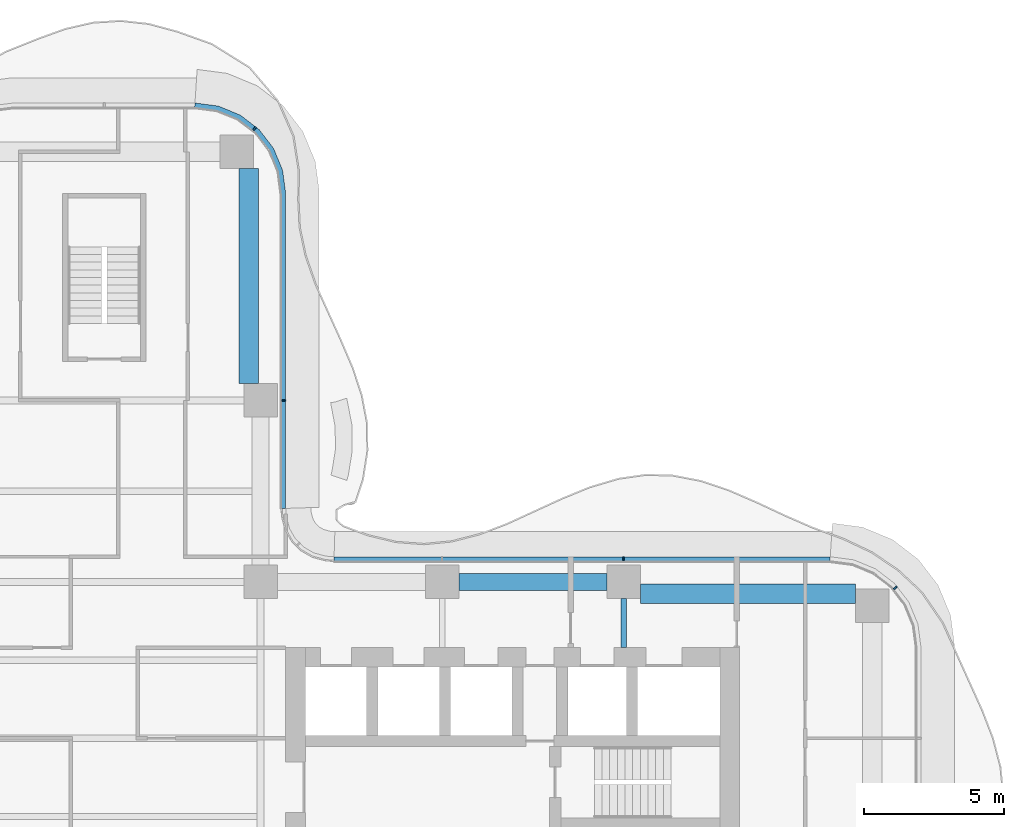
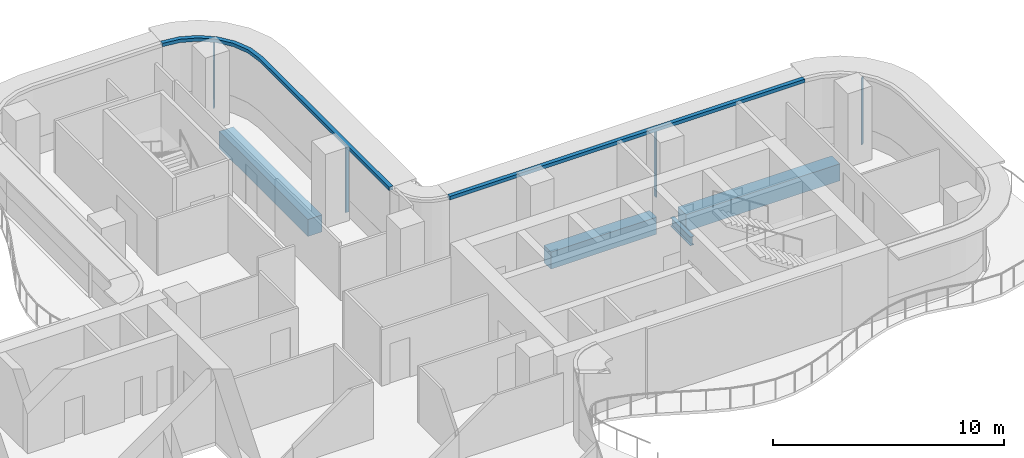
# One storey, part 9 of 18: 6 members, 4 beams, 3 elements without a shape of their own.
"""IFC4 building model written with IfcOpenShell, lengths in metres."""

from ifc_helpers import new_model, si_unit, direction, frame, origin, origin_2d, place, context, subcontext, project, spatial, polyline, rectangle, i_section, outline, extrude, source, transform, mapped, material, layer, layer_set, material_profile, profile_set, type_object, element, aggregate, save


model = new_model("IFC4")

# Units and contexts
model_context = context("Model", 3, precision=1e-05, world=origin(), true_north=direction((0.0, 1.0)))
body_context = subcontext(model_context, "Body", "Model", "MODEL_VIEW")
ifc_project = project(units=[si_unit("LENGTHUNIT", "METRE"), si_unit("AREAUNIT", "SQUARE_METRE"), si_unit("VOLUMEUNIT", "CUBIC_METRE"), si_unit("PLANEANGLEUNIT", "RADIAN"), si_unit("MASSUNIT", "GRAM", prefix="KILO")], contexts=[model_context])

# Site, building, storey
site_placement = place(None, origin())
site = spatial("IfcSite", under=ifc_project, at=site_placement, CompositionType="ELEMENT")
building_placement = place(site_placement, origin())
building = spatial("IfcBuilding", under=site, at=building_placement, Name="Trellis Farm Tower", CompositionType="ELEMENT")
storey_placement = place(building_placement, frame((0.0, 0.0, 189.300048828125)))
storey = spatial("IfcBuildingStorey", under=building, at=storey_placement, Name="L41", CompositionType="ELEMENT", Elevation=189.300048828125)

# Beams
ifc_material_1 = material(Name="Concrete C60/75", Category="concrete")
ifc_material_profile_1 = material_profile(ifc_material_1, rectangle(XDim=0.60009765625, YDim=0.89990234375, at=origin_2d()), Name="RC spandrel beam 600x900 C60/75")
ifc_profile_set_1 = profile_set([ifc_material_profile_1], Name="Concrete C60/75")
beam_type_1 = type_object("IfcBeamType", Name="RC spandrel beam 600x900 C60/75", PredefinedType="SPANDREL", material=ifc_profile_set_1)
shared_shape_1 = source(origin(), body_context, "Body", "SweptSolid", [
    extrude(rectangle(XDim=0.60009765625, YDim=0.89990234375, at=origin_2d()), origin(), (0.0, 0.0, 1.0), 5.300048828125),
])
beam_1_placement = place(storey_placement, frame((12.699951171875, 5.60009765625, -0.650146484375), z_axis=(1.0, 0.0, 0.0), x_axis=(0.0, 1.0, 0.0)))
element("IfcBeam", 1, at=beam_1_placement, inside=storey, type_object=beam_type_1, Name="Girder", PredefinedType="SPANDREL", context=body_context, shape_type="MappedRepresentation", body=[
    mapped(shared_shape_1, transform((0.0, 0.0, 0.0))),
])
ifc_material_2 = material(Name="Steel S355", Category="steel")
ifc_material_profile_2 = material_profile(ifc_material_2, i_section(OverallWidth=0.1904296875, OverallDepth=0.45703125, WebThickness=0.009033203125, FlangeThickness=0.014404296875, FilletRadius=0.01025390625, at=origin_2d()), Name="UB 457x191x74")
ifc_profile_set_2 = profile_set([ifc_material_profile_2], Name="Steel S355")
beam_type_2 = type_object("IfcBeamType", Name="UB 457x191x74", PredefinedType="BEAM", material=ifc_profile_set_2)
shared_shape_2 = source(origin(), body_context, "Body", "SweptSolid", [
    extrude(i_section(OverallWidth=0.1904296875, OverallDepth=0.45703125, WebThickness=0.009033203125, FlangeThickness=0.014404296875, FilletRadius=0.01025390625, at=origin_2d()), origin(), (0.0, 0.0, 1.0), 1.75),
])
beam_2_placement = place(storey_placement, frame((18.60009765625, 3.25, -0.428466796875), z_axis=(0.0, 1.0, 0.0), x_axis=(-1.0, 0.0, 0.0)))
element("IfcBeam", 2, at=beam_2_placement, inside=storey, type_object=beam_type_2, Name="Girder", PredefinedType="BEAM", context=body_context, shape_type="MappedRepresentation", body=[
    mapped(shared_shape_2, transform((0.0, 0.0, 0.0))),
])
ifc_material_profile_3 = material_profile(ifc_material_1, rectangle(XDim=0.699951171875, YDim=0.89990234375, at=origin_2d()), Name="RC spandrel beam 700x900 C60/75")
ifc_profile_set_3 = profile_set([ifc_material_profile_3], Name="Concrete C60/75")
beam_type_3 = type_object("IfcBeamType", Name="RC spandrel beam 700x900 C60/75", PredefinedType="SPANDREL", material=ifc_profile_set_3)
shared_shape_3 = source(origin(), body_context, "Body", "SweptSolid", [
    extrude(rectangle(XDim=0.699951171875, YDim=0.89990234375, at=origin_2d()), origin(), (0.0, 0.0, 1.0), 7.699951171875),
])
for number, where, z_axis, x_axis, name in (
    (3, (19.199951171875, 5.175048828125, -0.650146484375), (1.0, 0.0, 0.0), (0.0, 1.0, 0.0), "Girder"),
    (4, (5.175048828125, 12.699951171875, -0.650146484375), (0.0, 1.0, 0.0), (-1.0, 0.0, 0.0), "Girder"),
):
    element("IfcBeam", number, at=place(storey_placement, frame(where, z_axis=z_axis, x_axis=x_axis)), inside=storey, type_object=beam_type_3, Name=name, PredefinedType="SPANDREL", context=body_context, shape_type="MappedRepresentation", body=[
        mapped(shared_shape_3, transform((0.0, 0.0, 0.0))),
    ])

# Curtain wall, member
ifc_material_3 = material(Name="Aluminium and glass curtain wall", Category="aluminium")
ifc_layer_1 = layer(ifc_material_3, 0.18994140625)
ifc_layer_set_1 = layer_set([ifc_layer_1], Name="RIBBON CURTAIN WALL CW1")
curtain_wall_type = type_object("IfcCurtainWallType", Name="RIBBON CURTAIN WALL CW1", PredefinedType="NOTDEFINED", material=ifc_layer_set_1)
placement_1 = place(storey_placement, origin())
curtain_wall_1 = element("IfcCurtainWall", 5, at=placement_1, inside=storey, type_object=curtain_wall_type, Name="CW1 008", PredefinedType="NOTDEFINED")
ifc_material_4 = material(Name="Aluminium extrusion 6063-T6", Category="aluminium")
ifc_layer_2 = layer(ifc_material_4, 0.199951171875)
ifc_layer_set_2 = layer_set([ifc_layer_2], Name="Aluminium extrusion 6063-T6")
member_type_1 = type_object("IfcMemberType", Name="CW1 TRANSOM 200x180", PredefinedType="USERDEFINED", material=ifc_layer_set_2)
shared_shape_4 = source(origin(), body_context, "Body", "SweptSolid", [
    extrude(outline(polyline([(26.0, 6.5), (8.2314453125, 6.5), (8.224853515625, 6.300048828125), (25.98681640625, 6.300048828125), (26.0, 6.5)])), origin(), (0.0, 0.0, 1.0), 0.179931640625),
])
placement_2 = place(storey_placement, frame((0.0, 0.0, 3.52001953125)))
member_1 = element("IfcMember", 6, at=placement_2, type_object=member_type_1, Name="TR1 008", ObjectType="TRANSOM", PredefinedType="USERDEFINED", context=body_context, shape_type="MappedRepresentation", body=[
    mapped(shared_shape_4, transform((0.0, 0.0, 0.0))),
])

curtain_wall_2 = element("IfcCurtainWall", 7, at=placement_1, inside=storey, type_object=curtain_wall_type, Name="CW1 007", PredefinedType="NOTDEFINED")
ifc_material_profile_4 = material_profile(ifc_material_4, rectangle(XDim=0.06005859375, YDim=0.14990234375, at=origin_2d()), Name="MULLION 60x150")
ifc_profile_set_4 = profile_set([ifc_material_profile_4], Name="Aluminium extrusion 6063-T6")
member_type_2 = type_object("IfcMemberType", Name="CW1 MULLION 60x150", PredefinedType="MULLION", material=ifc_profile_set_4)
shared_shape_5 = source(origin(), body_context, "Body", "SweptSolid", [
    extrude(rectangle(XDim=0.06005859375, YDim=0.14990234375, at=origin_2d()), origin(), (0.0, 0.0, 1.0), 3.52001953125),
])
member_2_placement = place(storey_placement, frame((28.328369140625, 5.385498046875, 0.0), z_axis=(0.0, 0.0, 1.0), x_axis=(-0.608761429009, 0.793353340291, 0.0)))
member_2 = element("IfcMember", 8, at=member_2_placement, type_object=member_type_2, Name="MU1 007-02", PredefinedType="MULLION", context=body_context, shape_type="MappedRepresentation", body=[
    mapped(shared_shape_5, transform((0.0, 0.0, 0.0))),
])
aggregate(curtain_wall_2, [member_2])

# Member
member_3_placement = place(storey_placement, frame((18.60009765625, 6.425048828125, 0.0), z_axis=(0.0, 0.0, 1.0), x_axis=(-1.0, 0.0, 0.0)))
member_3 = element("IfcMember", 9, at=member_3_placement, type_object=member_type_2, Name="MU1 008-01", PredefinedType="MULLION", context=body_context, shape_type="MappedRepresentation", body=[
    mapped(shared_shape_5, transform((0.0, 0.0, 0.0))),
])

aggregate(curtain_wall_1, [member_3, member_1])

# Curtain wall, members
curtain_wall_3 = element("IfcCurtainWall", 10, at=placement_1, inside=storey, type_object=curtain_wall_type, Name="CW1 009", PredefinedType="NOTDEFINED")
member_4_placement = place(storey_placement, frame((6.425048828125, 12.10009765625, 0.0), z_axis=(0.0, 0.0, 1.0), x_axis=(0.0, 1.0, 0.0)))
member_4 = element("IfcMember", 11, at=member_4_placement, type_object=member_type_2, Name="MU1 009-01", PredefinedType="MULLION", context=body_context, shape_type="MappedRepresentation", body=[
    mapped(shared_shape_5, transform((0.0, 0.0, 0.0))),
])
member_5_placement = place(storey_placement, frame((5.385498046875, 21.828369140625, 0.0), z_axis=(0.0, 0.0, 1.0), x_axis=(-0.793353340291, 0.608761429009, 0.0)))
member_5 = element("IfcMember", 12, at=member_5_placement, type_object=member_type_2, Name="MU1 009-02", PredefinedType="MULLION", context=body_context, shape_type="MappedRepresentation", body=[
    mapped(shared_shape_5, transform((0.0, 0.0, 0.0))),
])
shared_shape_6 = source(origin(), body_context, "Body", "SweptSolid", [
    extrude(outline(polyline([(6.5, 8.2314453125), (6.5, 19.5), (6.38916015625, 20.341064453125), (6.064697265625, 21.125), (5.548095703125, 21.798095703125), (4.875, 22.314697265625), (4.091064453125, 22.63916015625), (3.25, 22.75), (3.23681640625, 22.550048828125), (4.0390625, 22.4443359375), (4.774169921875, 22.139892578125), (5.405517578125, 21.655517578125), (5.889892578125, 21.024169921875), (6.1943359375, 20.2890625), (6.300048828125, 19.48681640625), (6.300048828125, 8.224853515625), (6.5, 8.2314453125)])), origin(), (0.0, 0.0, 1.0), 0.179931640625),
])
member_6 = element("IfcMember", 13, at=placement_2, type_object=member_type_1, Name="TR1 009", ObjectType="TRANSOM", PredefinedType="USERDEFINED", context=body_context, shape_type="MappedRepresentation", body=[
    mapped(shared_shape_6, transform((0.0, 0.0, 0.0))),
])
aggregate(curtain_wall_3, [member_4, member_5, member_6])

save(model, "model.ifc")
